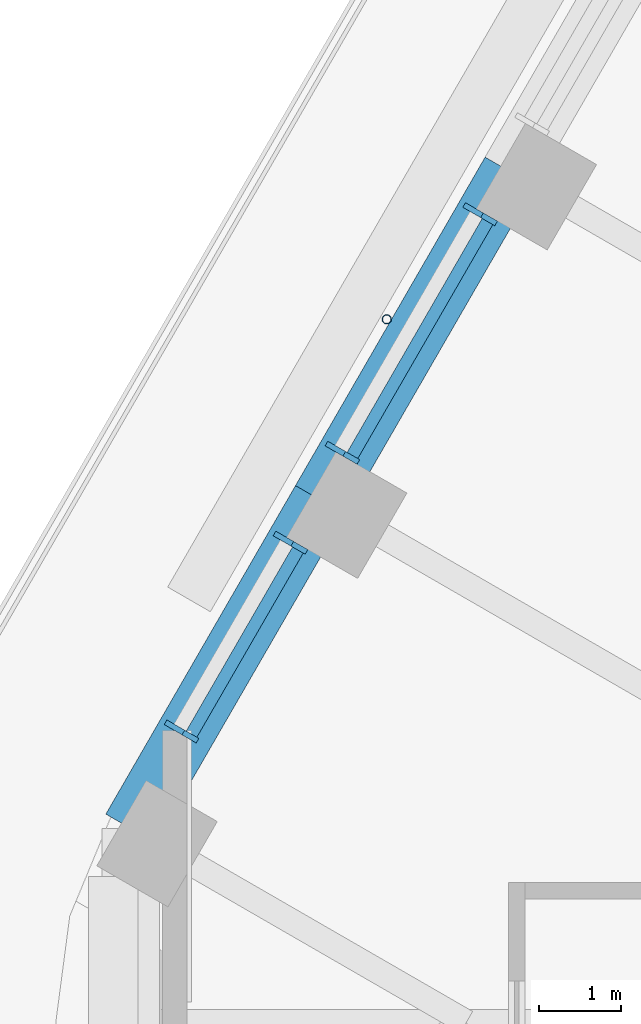
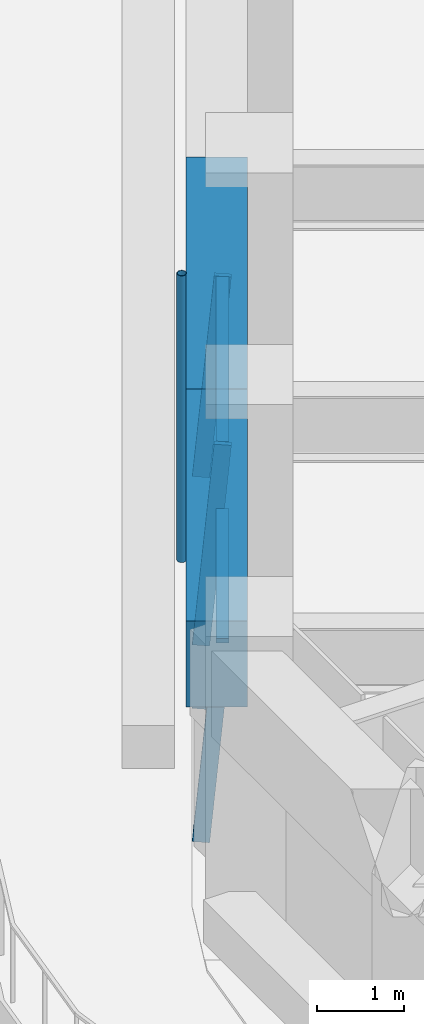
# One storey, part 6 of 20: 7 members, 2 beams, 2 elements without a shape of their own.
"""IFC4 building model written with IfcOpenShell, lengths in metres."""

from ifc_helpers import new_model, si_unit, direction, frame, origin, origin_2d, place, context, subcontext, project, spatial, rectangle, hollow_circle, extrude, material, material_profile, profile_set, type_object, element, aggregate, save


model = new_model("IFC4")

# Units and contexts
model_context = context("Model", 3, precision=1e-05, world=origin(), true_north=direction((0.0, 1.0)))
body_context = subcontext(model_context, "Body", "Model", "MODEL_VIEW")
ifc_project = project(units=[si_unit("LENGTHUNIT", "METRE"), si_unit("AREAUNIT", "SQUARE_METRE"), si_unit("VOLUMEUNIT", "CUBIC_METRE"), si_unit("PLANEANGLEUNIT", "RADIAN"), si_unit("MASSUNIT", "GRAM", prefix="KILO")], contexts=[model_context])

# Site, building, storey
site_placement = place(None, origin())
site = spatial("IfcSite", under=ifc_project, at=site_placement, CompositionType="ELEMENT")
building_placement = place(site_placement, origin())
building = spatial("IfcBuilding", under=site, at=building_placement, Name="Tarfa Lantern Tower", CompositionType="ELEMENT")
storey_placement = place(building_placement, frame((0.0, 0.0, 265.89990234375)))
storey = spatial("IfcBuildingStorey", under=building, at=storey_placement, Name="L60", CompositionType="ELEMENT", Elevation=265.89990234375)

# Curtain wall, members
ifc_material_1 = material(Name="Aluminium framed curtain wall", Category="aluminium")
curtain_wall_type = type_object("IfcCurtainWallType", Name="CW3 CANTED GLAZING HIGH ZONE 2800", PredefinedType="USERDEFINED", material=ifc_material_1)
curtain_wall_1_placement = place(storey_placement, origin())
curtain_wall_1 = element("IfcCurtainWall", 1, at=curtain_wall_1_placement, inside=storey, type_object=curtain_wall_type, Name="CW3 NW L60", ObjectType="CURTAIN WALL", PredefinedType="USERDEFINED")
ifc_material_2 = material(Name="Aluminium mullion", Category="aluminium")
ifc_material_profile_1 = material_profile(ifc_material_2, rectangle(XDim=0.06494140625, YDim=0.199951171875, at=origin_2d()), Name="AL MULLION 65x200")
ifc_profile_set_1 = profile_set([ifc_material_profile_1], Name="Aluminium mullion")
member_type_1 = type_object("IfcMemberType", Name="CWM1 MULLION 65x200", PredefinedType="MULLION", material=ifc_profile_set_1)
member_1_placement = place(storey_placement, frame((-27.65380859375, 9.90234375, 0.0), z_axis=(0.077032386753, -0.044465143199, 0.996036576854), x_axis=(0.499919672301, 0.866071776036, 0.0)))
member_1 = element("IfcMember", 2, at=member_1_placement, type_object=member_type_1, Name="CW3 mullion 1", PredefinedType="MULLION", context=body_context, shape_type="SweptSolid", body=[
    extrude(rectangle(XDim=0.06494140625, YDim=0.199951171875, at=origin_2d()), origin(), (0.0, 0.0, 1.0), 2.811279296875),
])
member_2_placement = place(storey_placement, frame((-29.33056640625, 6.997802734375, 0.0), z_axis=(0.076946055247, -0.044465440504, 0.996043236603), x_axis=(0.500342721131, 0.865827443207, 0.0)))
member_2 = element("IfcMember", 3, at=member_2_placement, type_object=member_type_1, Name="CW3 mullion 2", PredefinedType="MULLION", context=body_context, shape_type="SweptSolid", body=[
    extrude(rectangle(XDim=0.06494140625, YDim=0.199951171875, at=origin_2d()), origin(), (0.0, 0.0, 1.0), 2.811279296875),
])

curtain_wall_2_placement = place(storey_placement, origin())
curtain_wall_2 = element("IfcCurtainWall", 4, at=curtain_wall_2_placement, inside=storey, type_object=curtain_wall_type, Name="CW3 NW L60", ObjectType="CURTAIN WALL", PredefinedType="USERDEFINED")
member_3_placement = place(storey_placement, frame((-29.963134765625, 5.90234375, 0.0), z_axis=(0.077032386753, -0.044465143199, 0.996036576854), x_axis=(0.499919672301, 0.866071776036, 0.0)))
member_3 = element("IfcMember", 5, at=member_3_placement, type_object=member_type_1, Name="CW3 mullion 1", PredefinedType="MULLION", context=body_context, shape_type="SweptSolid", body=[
    extrude(rectangle(XDim=0.06494140625, YDim=0.199951171875, at=origin_2d()), origin(), (0.0, 0.0, 1.0), 2.811279296875),
])
member_4_placement = place(storey_placement, frame((-31.2900390625, 3.60400390625, 0.0), z_axis=(0.077032386753, -0.044465143199, 0.996036576854), x_axis=(0.499919672301, 0.866071776036, 0.0)))
member_4 = element("IfcMember", 6, at=member_4_placement, type_object=member_type_1, Name="CW3 mullion 2", PredefinedType="MULLION", context=body_context, shape_type="SweptSolid", body=[
    extrude(rectangle(XDim=0.06494140625, YDim=0.199951171875, at=origin_2d()), origin(), (0.0, 0.0, 1.0), 2.811279296875),
])

# Member
ifc_material_3 = material(Name="Aluminium transom", Category="aluminium")
ifc_material_profile_2 = material_profile(ifc_material_3, rectangle(XDim=0.14990234375, YDim=0.06494140625, at=origin_2d()), Name="AL TRANSOM 150x65")
ifc_profile_set_2 = profile_set([ifc_material_profile_2], Name="Aluminium transom")
member_type_2 = type_object("IfcMemberType", Name="CWT1 TRANSOM 150x65", PredefinedType="USERDEFINED", material=ifc_profile_set_2)
member_5_placement = place(storey_placement, frame((-27.4560546875, 9.75048828125, 2.767578125), z_axis=(-0.499979497339, -0.866037240677, 0.0), x_axis=(0.866037240677, -0.499979497339, 0.0)))
member_5 = element("IfcMember", 7, at=member_5_placement, type_object=member_type_2, Name="CW3 transom 1.2", ObjectType="TRANSOM", PredefinedType="USERDEFINED", context=body_context, shape_type="SweptSolid", body=[
    extrude(rectangle(XDim=0.14990234375, YDim=0.06494140625, at=origin_2d()), origin(), (0.0, 0.0, 1.0), 3.288818359375),
])

aggregate(curtain_wall_1, [member_1, member_2, member_5])

member_6_placement = place(storey_placement, frame((-29.765380859375, 5.75048828125, 2.767578125), z_axis=(-0.5000136139, -0.866017543653, 0.0), x_axis=(0.866017543653, -0.5000136139, 0.0)))
member_6 = element("IfcMember", 8, at=member_6_placement, type_object=member_type_2, Name="CW3 transom 1.2", ObjectType="TRANSOM", PredefinedType="USERDEFINED", context=body_context, shape_type="SweptSolid", body=[
    extrude(rectangle(XDim=0.14990234375, YDim=0.06494140625, at=origin_2d()), origin(), (0.0, 0.0, 1.0), 2.5888671875),
])

aggregate(curtain_wall_2, [member_3, member_4, member_6])

# Beams
ifc_material_4 = material(Name="Concrete C80/95", Category="concrete")
ifc_material_profile_3 = material_profile(ifc_material_4, rectangle(XDim=0.699951171875, YDim=1.199951171875, at=origin_2d()), Name="RC 700x1200")
ifc_profile_set_3 = profile_set([ifc_material_profile_3], Name="Concrete C80/95")
beam_type = type_object("IfcBeamType", Name="EB3 RC 700x1200", PredefinedType="SPANDREL", material=ifc_profile_set_3)
beam_1_placement = place(storey_placement, frame((-27.181640625, 10.360107421875, 3.400146484375), z_axis=(-0.499987836815, -0.866032426089, 0.0), x_axis=(0.866032426089, -0.499987836815, 0.0)))
element("IfcBeam", 9, at=beam_1_placement, inside=storey, type_object=beam_type, Name="Edge beam NW4", PredefinedType="SPANDREL", context=body_context, shape_type="SweptSolid", body=[
    extrude(rectangle(XDim=0.699951171875, YDim=1.199951171875, at=origin_2d()), origin(), (0.0, 0.0, 1.0), 4.61865234375),
])
beam_2_placement = place(storey_placement, frame((-29.490966796875, 6.360107421875, 3.400146484375), z_axis=(-0.500027479704, -0.866009537788, 0.0), x_axis=(0.866009537788, -0.500027479704, 0.0)))
element("IfcBeam", 10, at=beam_2_placement, inside=storey, type_object=beam_type, Name="Edge beam NW5", PredefinedType="SPANDREL", context=body_context, shape_type="SweptSolid", body=[
    extrude(rectangle(XDim=0.699951171875, YDim=1.199951171875, at=origin_2d()), origin(), (0.0, 0.0, 1.0), 4.618896484375),
])

# Member
ifc_material_5 = material(Name="Steel S355", Category="steel")
ifc_material_profile_4 = material_profile(ifc_material_5, hollow_circle(Radius=0.05712890625, WallThickness=0.00634765625, at=origin_2d()), Name="CHS114.3x6.3")
ifc_profile_set_4 = profile_set([ifc_material_profile_4], Name="Steel S355")
member_type_3 = type_object("IfcMemberType", Name="TR1 GREEN WALL TRELLIS CHS114.3x6.3", PredefinedType="USERDEFINED", material=ifc_profile_set_4)
member_7_placement = place(storey_placement, frame((-28.682861328125, 8.56005859375, 0.0), z_axis=(0.0, 0.0, 1.0), x_axis=(1.0, 0.0, 0.0)))
element("IfcMember", 11, at=member_7_placement, inside=storey, type_object=member_type_3, Name="Trellis post NW 2", ObjectType="TRELLIS", PredefinedType="USERDEFINED", context=body_context, shape_type="SweptSolid", body=[
    extrude(hollow_circle(Radius=0.05712890625, WallThickness=0.00634765625, at=origin_2d()), origin(), (0.0, 0.0, 1.0), 4.0),
])

save(model, "model.ifc")
